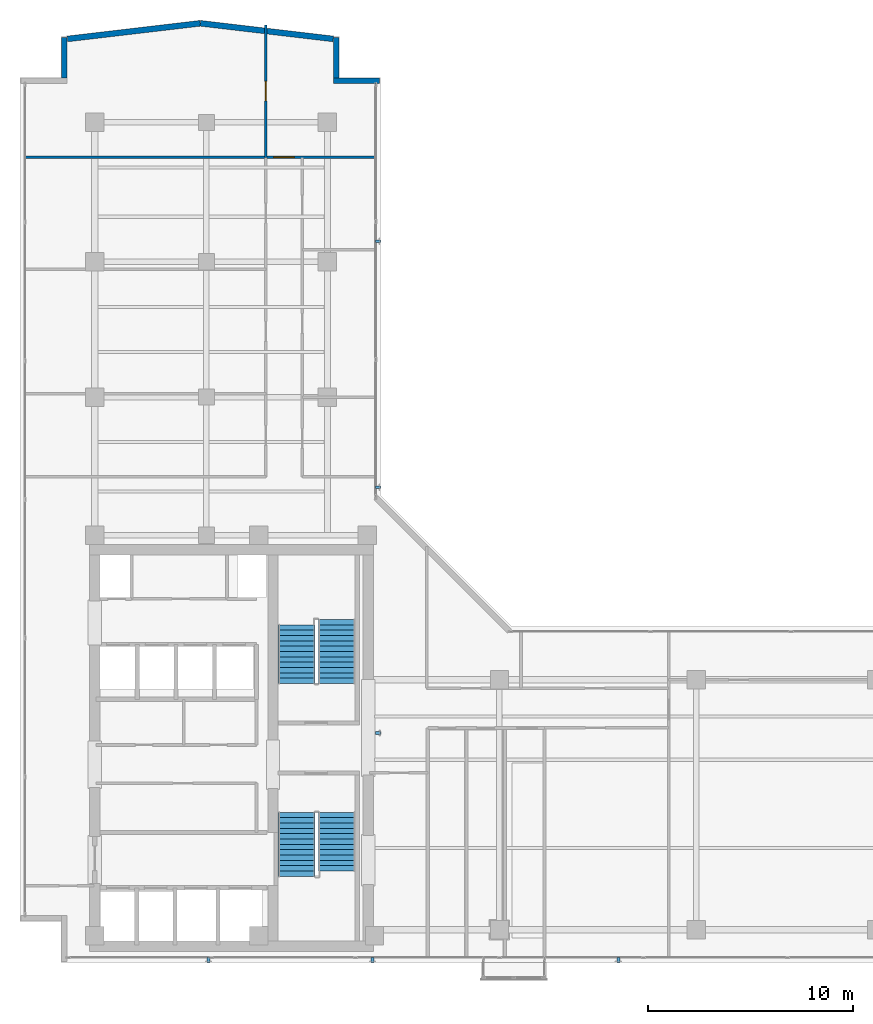
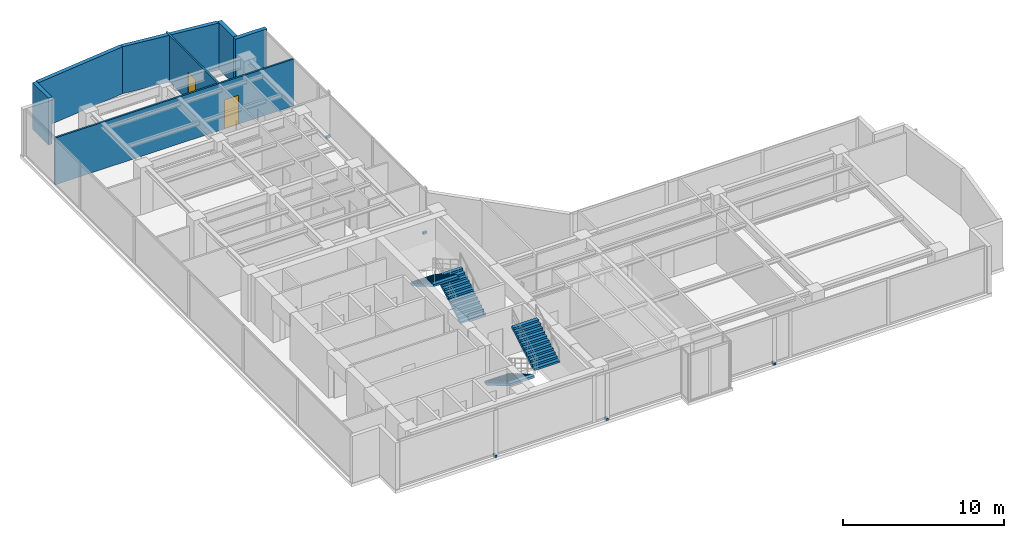
# One storey, part 19 of 22: 7 walls, 6 discrete accessories, 4 stair flights, 2 doors, 2 openings, 2 elements without a shape of their own.
"""IFC4 building model written with IfcOpenShell, lengths in metres."""

from ifc_helpers import new_model, si_unit, direction, frame, frame_2d, origin, origin_with_axes, origin_2d, place, context, subcontext, project, spatial, polyline, rectangle, outline, extrude, source, transform, mapped, material, layer, layer_set, type_object, element, fill, aggregate, save


model = new_model("IFC4")

# Units and contexts
model_context = context("Model", 3, precision=1e-05, world=origin(), true_north=direction((0.0, 1.0)))
body_context = subcontext(model_context, "Body", "Model", "MODEL_VIEW")
ifc_project = project(units=[si_unit("LENGTHUNIT", "METRE"), si_unit("AREAUNIT", "SQUARE_METRE"), si_unit("VOLUMEUNIT", "CUBIC_METRE"), si_unit("PLANEANGLEUNIT", "RADIAN"), si_unit("MASSUNIT", "GRAM", prefix="KILO")], contexts=[model_context])

# Site, building, storey
site_placement = place(None, origin())
site = spatial("IfcSite", under=ifc_project, at=site_placement, CompositionType="ELEMENT")
building_placement = place(site_placement, origin())
building = spatial("IfcBuilding", under=site, at=building_placement, Name="Kolvaren Waterfront Exchange", CompositionType="ELEMENT")
storey_placement = place(building_placement, frame((0.0, 0.0, 262.800048828125)))
storey = spatial("IfcBuildingStorey", under=building, at=storey_placement, Name="L67", CompositionType="ELEMENT", Elevation=262.800048828125)

# Walls
ifc_material_1 = material(Name="Precast concrete C40/50", Category="concrete")
ifc_layer_1 = layer(ifc_material_1, 0.280029296875, Name="Precast concrete C40/50")
ifc_layer_set_1 = layer_set([ifc_layer_1], Name="Precast concrete C40/50")
wall_type_1 = type_object("IfcWallType", Name="ARC-EXT-TERR-280", PredefinedType="SOLIDWALL", material=ifc_layer_set_1)
wall_1_placement = place(storey_placement, frame((19.10009765625, 46.639892578125, 0.0), z_axis=(0.0, 0.0, 1.0), x_axis=(1.0, 0.0, 0.0)))
element("IfcWall", 1, at=wall_1_placement, inside=storey, type_object=wall_type_1, Name="L67 notched corner spandrel pier NNE-A", PredefinedType="SOLIDWALL", context=body_context, shape_type="SweptSolid", body=[
    extrude(rectangle(XDim=2.239990234375, YDim=0.280029296875, at=frame_2d((1.1201171875, 0.0))), origin(), (0.0, 0.0, 1.0), 3.56005859375),
])
for number, where, z_axis, x_axis, name in (
    (2, (19.239990234375, 46.780029296875, 0.0), (0.0, 0.0, 1.0), (0.0, 1.0, 0.0), "L67 notched corner spandrel pier NNE-B"),
    (3, (5.9599609375, 46.780029296875, 0.0), (0.0, 0.0, 1.0), (0.0, 1.0, 0.0), "L67 notched corner spandrel pier NW-B"),
):
    element("IfcWall", number, at=place(storey_placement, frame(where, z_axis=z_axis, x_axis=x_axis)), inside=storey, type_object=wall_type_1, Name=name, PredefinedType="SOLIDWALL", context=body_context, shape_type="SweptSolid", body=[
        extrude(rectangle(XDim=1.9599609375, YDim=0.280029296875, at=frame_2d((0.97998046875, 0.0))), origin(), (0.0, 0.0, 1.0), 3.56005859375),
    ])
for number, where, z_axis, x_axis, name in (
    (4, (19.08349609375, 48.676025390625, 0.0), (0.0, 0.0, 1.0), (-0.993149072278, 0.11685426921, 0.0), "L67 north prow faceted facade wall 1"),
    (5, (12.598876953125, 49.438720703125, 0.0), (0.0, 0.0, 1.0), (-0.993149072278, -0.11685426921, 0.0), "L67 north prow faceted facade wall 2"),
):
    element("IfcWall", number, at=place(storey_placement, frame(where, z_axis=z_axis, x_axis=x_axis)), inside=storey, type_object=wall_type_1, Name=name, PredefinedType="SOLIDWALL", context=body_context, shape_type="SweptSolid", body=[
        extrude(rectangle(XDim=6.52685546875, YDim=0.280029296875, at=frame_2d((3.263427734375, 0.0))), origin(), (0.0, 0.0, 1.0), 3.56005859375),
    ])

# Wall, opening, door
ifc_material_2 = material(Name="Acoustic gypsum steel stud", Category="steel")
ifc_layer_2 = layer(ifc_material_2, 0.125, Name="Acoustic gypsum steel stud")
ifc_layer_set_2 = layer_set([ifc_layer_2], Name="Acoustic gypsum steel stud")
wall_type_2 = type_object("IfcWallType", Name="ARC-PART-125", PredefinedType="PARTITIONING", material=ifc_layer_set_2)
wall_2_placement = place(storey_placement, frame((4.0400390625, 42.89990234375, 0.0), z_axis=(0.0, 0.0, 1.0), x_axis=(1.0, 0.0, 0.0)))
wall_2 = element("IfcWall", 6, at=wall_2_placement, inside=storey, type_object=wall_type_2, Name="L67 interior wall PW-L67-NTIP-S", PredefinedType="PARTITIONING", context=body_context, shape_type="SweptSolid", body=[
    extrude(rectangle(XDim=17.119873046875, YDim=0.125, at=frame_2d((8.56005859375, 0.0))), origin(), (0.0, 0.0, 1.0), 3.56005859375),
])
opening_1_placement = place(wall_2_placement, frame((12.14990234375, 0.0, 0.0)))
opening_1 = element("IfcOpeningElement", 7, at=opening_1_placement, cuts=wall_2, Name="Opening D03", PredefinedType="OPENING", context=body_context, shape_type="SweptSolid", body=[
    extrude(rectangle(XDim=1.0, YDim=2.199951171875, at=frame_2d((0.5, 1.10009765625))), frame((0.0, 0.072509765625, 0.0), z_axis=(0.0, -1.0, 0.0), x_axis=(1.0, 0.0, 0.0)), (0.0, 0.0, 1.0), 0.14501953125),
])
ifc_material_3 = material(Name="Oak veneer accessible timber", Category="wood")
door_type_1 = type_object("IfcDoorType", Name="ARC-DR-1000", OperationType="NOTDEFINED", PredefinedType="DOOR", material=ifc_material_3)
door_1_placement = place(opening_1_placement, origin())
door_1 = element("IfcDoor", 8, at=door_1_placement, inside=storey, type_object=door_type_1, Name="L67 door DR-L67-NTIPE-D (D03)", OperationType="SINGLE_SWING_RIGHT", OverallHeight=2.199951171875, OverallWidth=1.0, PredefinedType="DOOR", context=body_context, shape_type="SweptSolid", body=[
    extrude(rectangle(XDim=1.0, YDim=2.199951171875, at=frame_2d((0.5, 1.10009765625))), frame((0.0, 0.02490234375, 0.0), z_axis=(0.0, -1.0, 0.0), x_axis=(1.0, 0.0, 0.0)), (0.0, 0.0, 1.0), 0.050048828125),
])
fill(opening_1, door_1)

wall_3_placement = place(storey_placement, frame((15.800048828125, 42.89990234375, 0.0), z_axis=(0.0, 0.0, 1.0), x_axis=(0.0, 1.0, 0.0)))
wall_3 = element("IfcWall", 9, at=wall_3_placement, inside=storey, type_object=wall_type_2, Name="L67 interior wall PW-L67-NTIP-DIV", PredefinedType="PARTITIONING", context=body_context, shape_type="SweptSolid", body=[
    extrude(rectangle(XDim=6.460205078125, YDim=0.125, at=frame_2d((3.22998046875, 0.0))), origin(), (0.0, 0.0, 1.0), 3.56005859375),
])
opening_2_placement = place(wall_3_placement, frame((2.75, 0.0, 0.0)))
opening_2 = element("IfcOpeningElement", 10, at=opening_2_placement, cuts=wall_3, Name="Opening D02", PredefinedType="OPENING", context=body_context, shape_type="SweptSolid", body=[
    extrude(rectangle(XDim=0.949951171875, YDim=2.14990234375, at=frame_2d((0.47509765625, 1.074951171875))), frame((0.0, 0.072509765625, 0.0), z_axis=(0.0, -1.0, 0.0), x_axis=(1.0, 0.0, 0.0)), (0.0, 0.0, 1.0), 0.14501953125),
])
ifc_material_4 = material(Name="Oak veneer acoustic timber", Category="wood")
door_type_2 = type_object("IfcDoorType", Name="ARC-DR-950", OperationType="NOTDEFINED", PredefinedType="DOOR", material=ifc_material_4)
door_2_placement = place(opening_2_placement, origin())
door_2 = element("IfcDoor", 11, at=door_2_placement, inside=storey, type_object=door_type_2, Name="L67 door DR-L67-NTIPW-D (D02)", OperationType="SINGLE_SWING_LEFT", OverallHeight=2.14990234375, OverallWidth=0.949951171875, PredefinedType="DOOR", context=body_context, shape_type="SweptSolid", body=[
    extrude(rectangle(XDim=0.949951171875, YDim=2.14990234375, at=frame_2d((0.47509765625, 1.074951171875))), frame((0.0, 0.02490234375, 0.0), z_axis=(0.0, -1.0, 0.0), x_axis=(1.0, 0.0, 0.0)), (0.0, 0.0, 1.0), 0.050048828125),
])
fill(opening_2, door_2)

# Stair, stair flights
ifc_material_5 = material(Name="Concrete C40/50", Category="concrete")
stair_type = type_object("IfcStairType", Name="ARC-STAIR-3800", PredefinedType="HALF_TURN_STAIR", material=ifc_material_5)
stair_1_placement = place(storey_placement, origin())
stair_1 = element("IfcStair", 12, at=stair_1_placement, inside=storey, type_object=stair_type, Name="L67 Smoke-proof exit stair ST1", PredefinedType="HALF_TURN_STAIR")
stair_flight_type = type_object("IfcStairFlightType", Name="ARC-FLIGHT-3800", PredefinedType="STRAIGHT", material=ifc_material_5)
stair_flight_1_placement = place(storey_placement, frame((17.300048828125, 10.929931640625, 0.0), z_axis=(0.0, 0.0, 1.0), x_axis=(0.0, -1.0, 0.0)))
stair_flight_1 = element("IfcStairFlight", 13, at=stair_flight_1_placement, type_object=stair_flight_type, Name="ST1 flight 1", NumberOfRisers=13, NumberOfTreads=12, PredefinedType="STRAIGHT", RiserHeight=0.152, TreadLength=0.26, context=body_context, shape_type="SweptSolid", body=[
    extrude(outline(polyline([(0.0, 0.0), (0.0, 0.152099609375), (0.260009765625, 0.152099609375), (0.260009765625, 0.303955078125), (0.52001953125, 0.303955078125), (0.52001953125, 0.4560546875), (0.780029296875, 0.4560546875), (0.780029296875, 0.60791015625), (1.0400390625, 0.60791015625), (1.0400390625, 0.760009765625), (1.300048828125, 0.760009765625), (1.300048828125, 0.912109375), (1.56005859375, 0.912109375), (1.56005859375, 1.06396484375), (1.820068359375, 1.06396484375), (1.820068359375, 1.216064453125), (2.080078125, 1.216064453125), (2.080078125, 1.367919921875), (2.340087890625, 1.367919921875), (2.340087890625, 1.52001953125), (2.60009765625, 1.52001953125), (2.60009765625, 1.672119140625), (2.860107421875, 1.672119140625), (2.860107421875, 1.823974609375), (3.1201171875, 1.823974609375), (3.1201171875, 1.97607421875), (3.1201171875, 1.650390625), (0.297119140625, 0.0), (0.0, 0.0)])), frame((0.0, 0.89990234375, 0.0), z_axis=(0.0, -1.0, 0.0), x_axis=(1.0, 0.0, 0.0)), (0.0, 0.0, 1.0), 1.800048828125),
])
stair_flight_2_placement = place(storey_placement, frame((19.260009765625, 8.070068359375, 1.975830078125), z_axis=(0.0, 0.0, 1.0), x_axis=(0.0, 1.0, 0.0)))
stair_flight_2 = element("IfcStairFlight", 14, at=stair_flight_2_placement, type_object=stair_flight_type, Name="ST1 flight 2", NumberOfRisers=12, NumberOfTreads=11, PredefinedType="STRAIGHT", RiserHeight=0.152, TreadLength=0.26, context=body_context, shape_type="SweptSolid", body=[
    extrude(outline(polyline([(0.0, 0.0), (0.0, 0.152099609375), (0.260009765625, 0.152099609375), (0.260009765625, 0.303955078125), (0.52001953125, 0.303955078125), (0.52001953125, 0.4560546875), (0.780029296875, 0.4560546875), (0.780029296875, 0.60791015625), (1.0400390625, 0.60791015625), (1.0400390625, 0.760009765625), (1.300048828125, 0.760009765625), (1.300048828125, 0.912109375), (1.56005859375, 0.912109375), (1.56005859375, 1.06396484375), (1.820068359375, 1.06396484375), (1.820068359375, 1.216064453125), (2.080078125, 1.216064453125), (2.080078125, 1.367919921875), (2.340087890625, 1.367919921875), (2.340087890625, 1.52001953125), (2.60009765625, 1.52001953125), (2.60009765625, 1.672119140625), (2.860107421875, 1.672119140625), (2.860107421875, 1.823974609375), (2.860107421875, 1.498291015625), (0.297119140625, 0.0), (0.0, 0.0)])), frame((0.0, 0.89990234375, 0.0), z_axis=(0.0, -1.0, 0.0), x_axis=(1.0, 0.0, 0.0)), (0.0, 0.0, 1.0), 1.800048828125),
])
aggregate(stair_1, [stair_flight_1, stair_flight_2])

stair_2_placement = place(storey_placement, origin())
stair_2 = element("IfcStair", 15, at=stair_2_placement, inside=storey, type_object=stair_type, Name="L67 Smoke-proof exit stair ST2", PredefinedType="HALF_TURN_STAIR")
stair_flight_3_placement = place(storey_placement, frame((19.260009765625, 17.219970703125, 0.0), z_axis=(0.0, 0.0, 1.0), x_axis=(0.0, 1.0, 0.0)))
stair_flight_3 = element("IfcStairFlight", 16, at=stair_flight_3_placement, type_object=stair_flight_type, Name="ST2 flight 1", NumberOfRisers=13, NumberOfTreads=12, PredefinedType="STRAIGHT", RiserHeight=0.152, TreadLength=0.26, context=body_context, shape_type="SweptSolid", body=[
    extrude(outline(polyline([(0.0, 0.0), (0.0, 0.152099609375), (0.260009765625, 0.152099609375), (0.260009765625, 0.303955078125), (0.52001953125, 0.303955078125), (0.52001953125, 0.4560546875), (0.780029296875, 0.4560546875), (0.780029296875, 0.60791015625), (1.0400390625, 0.60791015625), (1.0400390625, 0.760009765625), (1.300048828125, 0.760009765625), (1.300048828125, 0.912109375), (1.56005859375, 0.912109375), (1.56005859375, 1.06396484375), (1.820068359375, 1.06396484375), (1.820068359375, 1.216064453125), (2.080078125, 1.216064453125), (2.080078125, 1.367919921875), (2.340087890625, 1.367919921875), (2.340087890625, 1.52001953125), (2.60009765625, 1.52001953125), (2.60009765625, 1.672119140625), (2.860107421875, 1.672119140625), (2.860107421875, 1.823974609375), (3.1201171875, 1.823974609375), (3.1201171875, 1.97607421875), (3.1201171875, 1.650390625), (0.297119140625, 0.0), (0.0, 0.0)])), frame((0.0, 0.89990234375, 0.0), z_axis=(0.0, -1.0, 0.0), x_axis=(1.0, 0.0, 0.0)), (0.0, 0.0, 1.0), 1.800048828125),
])
stair_flight_4_placement = place(storey_placement, frame((17.300048828125, 20.080078125, 1.975830078125), z_axis=(0.0, 0.0, 1.0), x_axis=(0.0, -1.0, 0.0)))
stair_flight_4 = element("IfcStairFlight", 17, at=stair_flight_4_placement, type_object=stair_flight_type, Name="ST2 flight 2", NumberOfRisers=12, NumberOfTreads=11, PredefinedType="STRAIGHT", RiserHeight=0.152, TreadLength=0.26, context=body_context, shape_type="SweptSolid", body=[
    extrude(outline(polyline([(0.0, 0.0), (0.0, 0.152099609375), (0.260009765625, 0.152099609375), (0.260009765625, 0.303955078125), (0.52001953125, 0.303955078125), (0.52001953125, 0.4560546875), (0.780029296875, 0.4560546875), (0.780029296875, 0.60791015625), (1.0400390625, 0.60791015625), (1.0400390625, 0.760009765625), (1.300048828125, 0.760009765625), (1.300048828125, 0.912109375), (1.56005859375, 0.912109375), (1.56005859375, 1.06396484375), (1.820068359375, 1.06396484375), (1.820068359375, 1.216064453125), (2.080078125, 1.216064453125), (2.080078125, 1.367919921875), (2.340087890625, 1.367919921875), (2.340087890625, 1.52001953125), (2.60009765625, 1.52001953125), (2.60009765625, 1.672119140625), (2.860107421875, 1.672119140625), (2.860107421875, 1.823974609375), (2.860107421875, 1.498291015625), (0.297119140625, 0.0), (0.0, 0.0)])), frame((0.0, 0.89990234375, 0.0), z_axis=(0.0, -1.0, 0.0), x_axis=(1.0, 0.0, 0.0)), (0.0, 0.0, 1.0), 1.800048828125),
])
aggregate(stair_2, [stair_flight_3, stair_flight_4])

# Discrete accessories
ifc_material_6 = material(Name="Stainless steel 316", Category="steel")
discrete_accessory_type = type_object("IfcDiscreteAccessoryType", Name="ARC-BRK-FIN", PredefinedType="BRACKET", material=ifc_material_6)
shared_shape = source(origin_with_axes(), body_context, "Body", "SweptSolid", [
    extrude(rectangle(XDim=0.280029296875, YDim=0.139892578125, at=origin_2d()), origin(), (0.0, 0.0, 1.0), 0.159912109375),
])
for number, where, z_axis, x_axis, name in (
    (18, (13.0, 3.719970703125, 0.0), (0.0, 0.0, 1.0), (0.0, -1.0, 0.0), "L67 bronze fin anchor bracket FIN-L67-S1"),
    (19, (21.0, 3.719970703125, 0.0), (0.0, 0.0, 1.0), (0.0, -1.0, 0.0), "L67 bronze fin anchor bracket FIN-L67-S2"),
    (20, (33.0, 3.719970703125, 0.0), (0.0, 0.0, 1.0), (0.0, -1.0, 0.0), "L67 bronze fin anchor bracket FIN-L67-S3"),
    (21, (21.280029296875, 14.800048828125, 0.0), (0.0, 0.0, 1.0), (1.0, 0.0, 0.0), "L67 bronze fin anchor bracket FIN-L67-E1"),
    (22, (21.280029296875, 26.800048828125, 0.0), (0.0, 0.0, 1.0), (1.0, 0.0, 0.0), "L67 bronze fin anchor bracket FIN-L67-E2"),
    (23, (21.280029296875, 38.800048828125, 0.0), (0.0, 0.0, 1.0), (1.0, 0.0, 0.0), "L67 bronze fin anchor bracket FIN-L67-E3"),
):
    element("IfcDiscreteAccessory", number, at=place(storey_placement, frame(where, z_axis=z_axis, x_axis=x_axis)), inside=storey, type_object=discrete_accessory_type, Name=name, PredefinedType="BRACKET", context=body_context, shape_type="MappedRepresentation", body=[
        mapped(shared_shape, transform((0.0, 0.0, 0.0), x_axis=(1.0, 0.0, 0.0), y_axis=(0.0, 1.0, 0.0), z_axis=(0.0, 0.0, 1.0), scale=1.0)),
    ])

save(model, "model.ifc")
